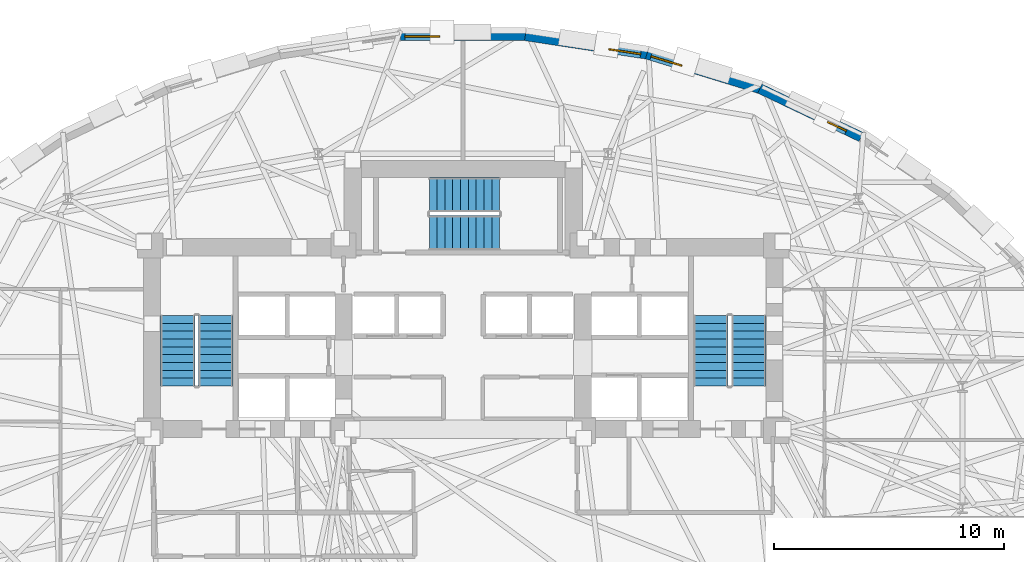
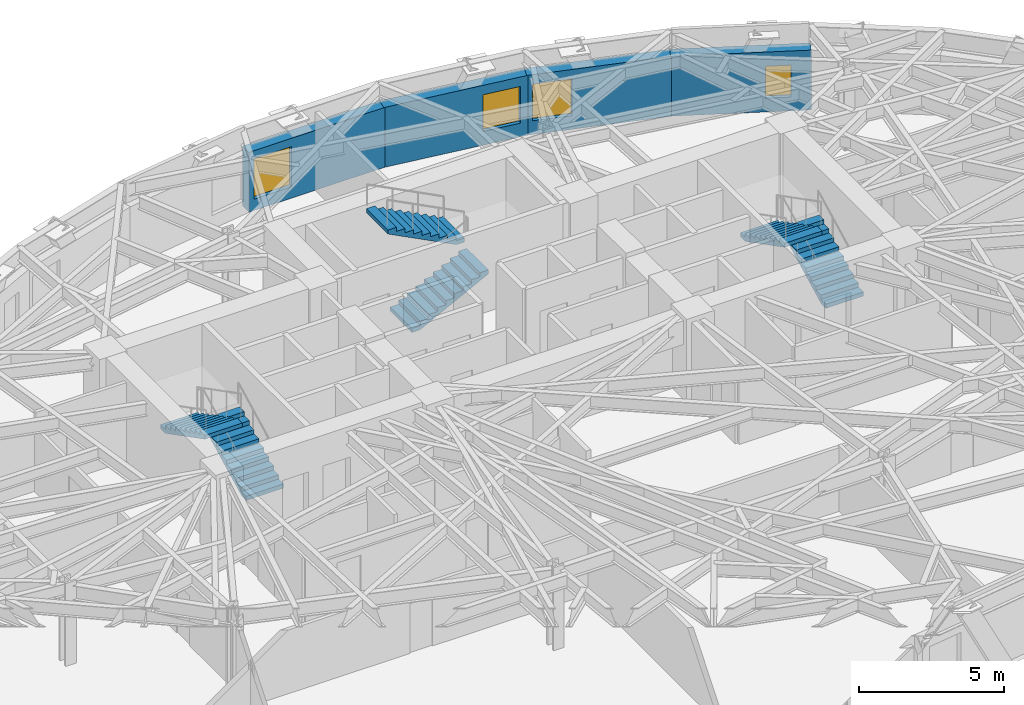
# One storey, part 10 of 14: 6 stair flights, 4 walls, 4 windows, 4 openings, 3 elements without a shape of their own.
"""IFC4 building model written with IfcOpenShell, lengths in metres."""

from ifc_helpers import new_model, si_unit, direction, frame, frame_2d, origin, place, context, subcontext, project, spatial, polyline, rectangle, outline, extrude, material, layer, layer_set, type_object, element, fill, aggregate, save


model = new_model("IFC4")

# Units and contexts
model_context = context("Model", 3, precision=1e-05, world=origin(), true_north=direction((0.0, 1.0)))
body_context = subcontext(model_context, "Body", "Model", "MODEL_VIEW")
ifc_project = project(units=[si_unit("LENGTHUNIT", "METRE"), si_unit("AREAUNIT", "SQUARE_METRE"), si_unit("VOLUMEUNIT", "CUBIC_METRE"), si_unit("PLANEANGLEUNIT", "RADIAN"), si_unit("MASSUNIT", "GRAM", prefix="KILO")], contexts=[model_context])

# Site, building, storey
site_placement = place(None, origin())
site = spatial("IfcSite", under=ifc_project, at=site_placement, CompositionType="ELEMENT")
building_placement = place(site_placement, origin())
building = spatial("IfcBuilding", under=site, at=building_placement, Name="Keldmark Tower", CompositionType="ELEMENT")
storey_placement = place(building_placement, frame((0.0, 0.0, 107.10009765625)))
storey = spatial("IfcBuildingStorey", under=building, at=storey_placement, Name="L28", CompositionType="ELEMENT", Elevation=107.10009765625)

# Wall, opening, window
ifc_material_1 = material(Name="Ironspot Manganese Brick and Kasota Buff Limestone Spandrel Assembly", Category="masonry")
ifc_layer = layer(ifc_material_1, 0.43994140625)
ifc_layer_set = layer_set([ifc_layer], Name="Ironspot Manganese Brick and Kasota Buff Limestone Spandrel Assembly")
wall_type = type_object("IfcWallType", Name="Tower Brick Pier and Spandrel Wall 440 mm", PredefinedType="STANDARD", material=ifc_layer_set)
wall_1_placement = place(storey_placement, frame((12.889892578125, 16.26953125, 0.0), z_axis=(0.0, 0.0, 1.0), x_axis=(0.902372757907, -0.430956385018, 0.0)))
wall_1 = element("IfcWall", 1, at=wall_1_placement, inside=storey, type_object=wall_type, Name="L28 Exterior Brick and Spandrel Wall 05", PredefinedType="STANDARD", context=body_context, shape_type="SweptSolid", body=[
    extrude(rectangle(XDim=4.881591796875, YDim=0.43994140625, at=frame_2d((2.44091796875, 0.0))), origin(), (0.0, 0.0, 1.0), 2.52783203125),
])
opening_1_placement = place(wall_1_placement, frame((3.2841796875, 0.0, 0.580078125)))
opening_1 = element("IfcOpeningElement", 2, at=opening_1_placement, cuts=wall_1, Name="Opening W-09", PredefinedType="OPENING", context=body_context, shape_type="SweptSolid", body=[
    extrude(rectangle(XDim=0.89990234375, YDim=1.35009765625, at=frame_2d((0.449951171875, 0.675048828125))), frame((0.0, 0.22998046875, 0.0), z_axis=(0.0, -1.0, 0.0), x_axis=(1.0, 0.0, 0.0)), (0.0, 0.0, 1.0), 0.4599609375),
])
ifc_material_2 = material(Name="Thermally Broken Anodized Aluminum and Triple Low-E Argon Glazing", Category="aluminium")
window_type_1 = type_object("IfcWindowType", Name="Corner Pier Deep-Set Window 900x1350", PartitioningType="SINGLE_PANEL", PredefinedType="WINDOW", material=ifc_material_2)
window_1_placement = place(opening_1_placement, origin())
window_1 = element("IfcWindow", 3, at=window_1_placement, inside=storey, type_object=window_type_1, Name="L28 Deep-Set Window 05", OverallHeight=1.35009765625, OverallWidth=0.89990234375, PartitioningType="SINGLE_PANEL", PredefinedType="WINDOW", context=body_context, shape_type="SweptSolid", body=[
    extrude(rectangle(XDim=0.89990234375, YDim=1.35009765625, at=frame_2d((0.449951171875, 0.675048828125))), frame((0.0, -0.010009765625, 0.0), z_axis=(0.0, -1.0, 0.0), x_axis=(1.0, 0.0, 0.0)), (0.0, 0.0, 1.0), 0.06005859375),
])
fill(opening_1, window_1)

wall_2_placement = place(storey_placement, frame((7.981201171875, 17.769287109375, 0.0), z_axis=(0.0, 0.0, 1.0), x_axis=(0.956228569431, -0.292620783617, 0.0)))
wall_2 = element("IfcWall", 4, at=wall_2_placement, inside=storey, type_object=wall_type, Name="L28 Exterior Brick and Spandrel Wall 06", PredefinedType="STANDARD", context=body_context, shape_type="SweptSolid", body=[
    extrude(rectangle(XDim=5.165283203125, YDim=0.43994140625, at=frame_2d((2.58251953125, 0.0))), origin(), (0.0, 0.0, 1.0), 2.52783203125),
])
opening_2_placement = place(wall_2_placement, frame((0.199951171875, 0.0, 0.580078125)))
opening_2 = element("IfcOpeningElement", 5, at=opening_2_placement, cuts=wall_2, Name="Opening W-08", PredefinedType="OPENING", context=body_context, shape_type="SweptSolid", body=[
    extrude(rectangle(XDim=1.39990234375, YDim=1.550048828125, at=frame_2d((0.699951171875, 0.77490234375))), frame((0.0, 0.22998046875, 0.0), z_axis=(0.0, -1.0, 0.0), x_axis=(1.0, 0.0, 0.0)), (0.0, 0.0, 1.0), 0.4599609375),
])
ifc_material_3 = material(Name="Thermally Broken Anodized Aluminum and Triple Low-E Argon Glazing", Category="aluminium")
window_type_2 = type_object("IfcWindowType", Name="Residential Corner Punched Window 1400x1550", PartitioningType="SINGLE_PANEL", PredefinedType="WINDOW", material=ifc_material_3)
window_2_placement = place(opening_2_placement, origin())
window_2 = element("IfcWindow", 6, at=window_2_placement, inside=storey, type_object=window_type_2, Name="L28 Deep-Set Window 06", OverallHeight=1.550048828125, OverallWidth=1.39990234375, PartitioningType="SINGLE_PANEL", PredefinedType="WINDOW", context=body_context, shape_type="SweptSolid", body=[
    extrude(rectangle(XDim=1.39990234375, YDim=1.550048828125, at=frame_2d((0.699951171875, 0.77490234375))), frame((0.0, -0.010009765625, 0.0), z_axis=(0.0, -1.0, 0.0), x_axis=(1.0, 0.0, 0.0)), (0.0, 0.0, 1.0), 0.06005859375),
])
fill(opening_2, window_2)

wall_3_placement = place(storey_placement, frame((2.69677734375, 18.57080078125, 0.0), z_axis=(0.0, 0.0, 1.0), x_axis=(0.988627497469, -0.150385076545, 0.0)))
wall_3 = element("IfcWall", 7, at=wall_3_placement, inside=storey, type_object=wall_type, Name="L28 Exterior Brick and Spandrel Wall 07", PredefinedType="STANDARD", context=body_context, shape_type="SweptSolid", body=[
    extrude(rectangle(XDim=5.376708984375, YDim=0.43994140625, at=frame_2d((2.6884765625, 0.0))), origin(), (0.0, 0.0, 1.0), 2.52783203125),
])
opening_3_placement = place(wall_3_placement, frame((3.677490234375, 0.0, 0.580078125)))
opening_3 = element("IfcOpeningElement", 8, at=opening_3_placement, cuts=wall_3, Name="Opening W-08", PredefinedType="OPENING", context=body_context, shape_type="SweptSolid", body=[
    extrude(rectangle(XDim=1.39990234375, YDim=1.550048828125, at=frame_2d((0.699951171875, 0.77490234375))), frame((0.0, 0.22998046875, 0.0), z_axis=(0.0, -1.0, 0.0), x_axis=(1.0, 0.0, 0.0)), (0.0, 0.0, 1.0), 0.4599609375),
])
window_3_placement = place(opening_3_placement, origin())
window_3 = element("IfcWindow", 9, at=window_3_placement, inside=storey, type_object=window_type_2, Name="L28 Deep-Set Window 07", OverallHeight=1.550048828125, OverallWidth=1.39990234375, PartitioningType="SINGLE_PANEL", PredefinedType="WINDOW", context=body_context, shape_type="SweptSolid", body=[
    extrude(rectangle(XDim=1.39990234375, YDim=1.550048828125, at=frame_2d((0.699951171875, 0.77490234375))), frame((0.0, -0.010009765625, 0.0), z_axis=(0.0, -1.0, 0.0), x_axis=(1.0, 0.0, 0.0)), (0.0, 0.0, 1.0), 0.06005859375),
])
fill(opening_3, window_3)

wall_4_placement = place(storey_placement, frame((-2.729736328125, 18.568359375, 0.0), z_axis=(0.0, 0.0, 1.0), x_axis=(1.0, 0.0, 0.0)))
wall_4 = element("IfcWall", 10, at=wall_4_placement, inside=storey, type_object=wall_type, Name="L28 Exterior Brick and Spandrel Wall 08", PredefinedType="STANDARD", context=body_context, shape_type="SweptSolid", body=[
    extrude(rectangle(XDim=5.45947265625, YDim=0.43994140625, at=frame_2d((2.729736328125, 0.0))), origin(), (0.0, 0.0, 1.0), 2.52783203125),
])
opening_4_placement = place(wall_4_placement, frame((0.199951171875, 0.0, 0.47998046875)))
opening_4 = element("IfcOpeningElement", 11, at=opening_4_placement, cuts=wall_4, Name="Opening W-03", PredefinedType="OPENING", context=body_context, shape_type="SweptSolid", body=[
    extrude(rectangle(XDim=1.5, YDim=1.699951171875, at=frame_2d((0.75, 0.85009765625))), frame((0.0, 0.22998046875, 0.0), z_axis=(0.0, -1.0, 0.0), x_axis=(1.0, 0.0, 0.0)), (0.0, 0.0, 1.0), 0.4599609375),
])
ifc_material_4 = material(Name="Thermally Broken Anodized Aluminum and Triple Low-E Argon Glazing", Category="aluminium")
window_type_3 = type_object("IfcWindowType", Name="Office Corner Deep-Set Window 1500x1700", PartitioningType="DOUBLE_PANEL_VERTICAL", PredefinedType="WINDOW", material=ifc_material_4)
window_4_placement = place(opening_4_placement, origin())
window_4 = element("IfcWindow", 12, at=window_4_placement, inside=storey, type_object=window_type_3, Name="L28 Deep-Set Window 08", OverallHeight=1.699951171875, OverallWidth=1.5, PartitioningType="SINGLE_PANEL", PredefinedType="WINDOW", context=body_context, shape_type="SweptSolid", body=[
    extrude(rectangle(XDim=1.5, YDim=1.699951171875, at=frame_2d((0.75, 0.85009765625))), frame((0.0, -0.010009765625, 0.0), z_axis=(0.0, -1.0, 0.0), x_axis=(1.0, 0.0, 0.0)), (0.0, 0.0, 1.0), 0.06005859375),
])
fill(opening_4, window_4)

# Stair, stair flights
ifc_material_5 = material(Name="Concrete C40/50", Category="concrete")
stair_type = type_object("IfcStairType", Name="Precast Concrete Core Exit Stair", PredefinedType="HALF_TURN_STAIR", material=ifc_material_5)
stair_1_placement = place(storey_placement, origin())
stair_1 = element("IfcStair", 13, at=stair_1_placement, inside=storey, type_object=stair_type, Name="L28 Exit Stair ST1", PredefinedType="HALF_TURN_STAIR")
ifc_material_6 = material(Name="Concrete C40/50", Category="concrete")
stair_flight_type = type_object("IfcStairFlightType", Name="Precast Concrete Stair Flight 1500 mm", PredefinedType="STRAIGHT", material=ifc_material_6)
stair_flight_1_placement = place(storey_placement, frame((-10.75, 3.35009765625, 0.0), z_axis=(0.0, 0.0, 1.0), x_axis=(0.0, 1.0, 0.0)))
stair_flight_1 = element("IfcStairFlight", 14, at=stair_flight_1_placement, type_object=stair_flight_type, Name="ST1 flight 1", NumberOfRisers=10, NumberOfTreads=9, PredefinedType="STRAIGHT", RiserHeight=0.175, TreadLength=0.34, context=body_context, shape_type="SweptSolid", body=[
    extrude(outline(polyline([(0.0, 0.0), (0.0, 0.175048828125), (0.340087890625, 0.175048828125), (0.340087890625, 0.35009765625), (0.679931640625, 0.35009765625), (0.679931640625, 0.52490234375), (1.02001953125, 0.52490234375), (1.02001953125, 0.699951171875), (1.360107421875, 0.699951171875), (1.360107421875, 0.875), (1.699951171875, 0.875), (1.699951171875, 1.050048828125), (2.0400390625, 1.050048828125), (2.0400390625, 1.22509765625), (2.3798828125, 1.22509765625), (2.3798828125, 1.39990234375), (2.719970703125, 1.39990234375), (2.719970703125, 1.574951171875), (3.06005859375, 1.574951171875), (3.06005859375, 1.75), (3.06005859375, 1.406494140625), (0.32763671875, 0.0), (0.0, 0.0)])), frame((0.0, 0.75, 0.0), z_axis=(0.0, -1.0, 0.0), x_axis=(1.0, 0.0, 0.0)), (0.0, 0.0, 1.0), 1.5),
])
stair_flight_2_placement = place(storey_placement, frame((-12.39990234375, 6.409912109375, 1.75), z_axis=(0.0, 0.0, 1.0), x_axis=(0.0, -1.0, 0.0)))
stair_flight_2 = element("IfcStairFlight", 15, at=stair_flight_2_placement, type_object=stair_flight_type, Name="ST1 flight 2", NumberOfRisers=10, NumberOfTreads=9, PredefinedType="STRAIGHT", RiserHeight=0.175, TreadLength=0.34, context=body_context, shape_type="SweptSolid", body=[
    extrude(outline(polyline([(0.0, 0.0), (0.0, 0.175048828125), (0.340087890625, 0.175048828125), (0.340087890625, 0.35009765625), (0.679931640625, 0.35009765625), (0.679931640625, 0.52490234375), (1.02001953125, 0.52490234375), (1.02001953125, 0.699951171875), (1.360107421875, 0.699951171875), (1.360107421875, 0.875), (1.699951171875, 0.875), (1.699951171875, 1.050048828125), (2.0400390625, 1.050048828125), (2.0400390625, 1.22509765625), (2.3798828125, 1.22509765625), (2.3798828125, 1.39990234375), (2.719970703125, 1.39990234375), (2.719970703125, 1.574951171875), (3.06005859375, 1.574951171875), (3.06005859375, 1.75), (3.06005859375, 1.406494140625), (0.32763671875, 0.0), (0.0, 0.0)])), frame((0.0, 0.75, 0.0), z_axis=(0.0, -1.0, 0.0), x_axis=(1.0, 0.0, 0.0)), (0.0, 0.0, 1.0), 1.5),
])
aggregate(stair_1, [stair_flight_1, stair_flight_2])

stair_2_placement = place(storey_placement, origin())
stair_2 = element("IfcStair", 16, at=stair_2_placement, inside=storey, type_object=stair_type, Name="L28 Exit Stair ST2", PredefinedType="HALF_TURN_STAIR")
stair_flight_3_placement = place(storey_placement, frame((12.39990234375, 3.35009765625, 0.0), z_axis=(0.0, 0.0, 1.0), x_axis=(0.0, 1.0, 0.0)))
stair_flight_3 = element("IfcStairFlight", 17, at=stair_flight_3_placement, type_object=stair_flight_type, Name="ST2 flight 1", NumberOfRisers=10, NumberOfTreads=9, PredefinedType="STRAIGHT", RiserHeight=0.175, TreadLength=0.34, context=body_context, shape_type="SweptSolid", body=[
    extrude(outline(polyline([(0.0, 0.0), (0.0, 0.175048828125), (0.340087890625, 0.175048828125), (0.340087890625, 0.35009765625), (0.679931640625, 0.35009765625), (0.679931640625, 0.52490234375), (1.02001953125, 0.52490234375), (1.02001953125, 0.699951171875), (1.360107421875, 0.699951171875), (1.360107421875, 0.875), (1.699951171875, 0.875), (1.699951171875, 1.050048828125), (2.0400390625, 1.050048828125), (2.0400390625, 1.22509765625), (2.3798828125, 1.22509765625), (2.3798828125, 1.39990234375), (2.719970703125, 1.39990234375), (2.719970703125, 1.574951171875), (3.06005859375, 1.574951171875), (3.06005859375, 1.75), (3.06005859375, 1.406494140625), (0.32763671875, 0.0), (0.0, 0.0)])), frame((0.0, 0.75, 0.0), z_axis=(0.0, -1.0, 0.0), x_axis=(1.0, 0.0, 0.0)), (0.0, 0.0, 1.0), 1.5),
])
stair_flight_4_placement = place(storey_placement, frame((10.75, 6.409912109375, 1.75), z_axis=(0.0, 0.0, 1.0), x_axis=(0.0, -1.0, 0.0)))
stair_flight_4 = element("IfcStairFlight", 18, at=stair_flight_4_placement, type_object=stair_flight_type, Name="ST2 flight 2", NumberOfRisers=10, NumberOfTreads=9, PredefinedType="STRAIGHT", RiserHeight=0.175, TreadLength=0.34, context=body_context, shape_type="SweptSolid", body=[
    extrude(outline(polyline([(0.0, 0.0), (0.0, 0.175048828125), (0.340087890625, 0.175048828125), (0.340087890625, 0.35009765625), (0.679931640625, 0.35009765625), (0.679931640625, 0.52490234375), (1.02001953125, 0.52490234375), (1.02001953125, 0.699951171875), (1.360107421875, 0.699951171875), (1.360107421875, 0.875), (1.699951171875, 0.875), (1.699951171875, 1.050048828125), (2.0400390625, 1.050048828125), (2.0400390625, 1.22509765625), (2.3798828125, 1.22509765625), (2.3798828125, 1.39990234375), (2.719970703125, 1.39990234375), (2.719970703125, 1.574951171875), (3.06005859375, 1.574951171875), (3.06005859375, 1.75), (3.06005859375, 1.406494140625), (0.32763671875, 0.0), (0.0, 0.0)])), frame((0.0, 0.75, 0.0), z_axis=(0.0, -1.0, 0.0), x_axis=(1.0, 0.0, 0.0)), (0.0, 0.0, 1.0), 1.5),
])
aggregate(stair_2, [stair_flight_3, stair_flight_4])

stair_3_placement = place(storey_placement, origin())
stair_3 = element("IfcStair", 19, at=stair_3_placement, inside=storey, type_object=stair_type, Name="L28 Exit Stair ST3", PredefinedType="HALF_TURN_STAIR")
stair_flight_5_placement = place(storey_placement, frame((-1.47509765625, 10.0, 0.0), z_axis=(0.0, 0.0, 1.0), x_axis=(1.0, 0.0, 0.0)))
stair_flight_5 = element("IfcStairFlight", 20, at=stair_flight_5_placement, type_object=stair_flight_type, Name="ST3 flight 1", NumberOfRisers=10, NumberOfTreads=9, PredefinedType="STRAIGHT", RiserHeight=0.175, TreadLength=0.34, context=body_context, shape_type="SweptSolid", body=[
    extrude(outline(polyline([(0.0, 0.0), (0.0, 0.175048828125), (0.340087890625, 0.175048828125), (0.340087890625, 0.35009765625), (0.679931640625, 0.35009765625), (0.679931640625, 0.52490234375), (1.02001953125, 0.52490234375), (1.02001953125, 0.699951171875), (1.360107421875, 0.699951171875), (1.360107421875, 0.875), (1.699951171875, 0.875), (1.699951171875, 1.050048828125), (2.0400390625, 1.050048828125), (2.0400390625, 1.22509765625), (2.3798828125, 1.22509765625), (2.3798828125, 1.39990234375), (2.719970703125, 1.39990234375), (2.719970703125, 1.574951171875), (3.06005859375, 1.574951171875), (3.06005859375, 1.75), (3.06005859375, 1.406494140625), (0.32763671875, 0.0), (0.0, 0.0)])), frame((0.0, 0.75, 0.0), z_axis=(0.0, -1.0, 0.0), x_axis=(1.0, 0.0, 0.0)), (0.0, 0.0, 1.0), 1.5),
])
stair_flight_6_placement = place(storey_placement, frame((1.5849609375, 11.64990234375, 1.75), z_axis=(0.0, 0.0, 1.0), x_axis=(-1.0, 0.0, 0.0)))
stair_flight_6 = element("IfcStairFlight", 21, at=stair_flight_6_placement, type_object=stair_flight_type, Name="ST3 flight 2", NumberOfRisers=10, NumberOfTreads=9, PredefinedType="STRAIGHT", RiserHeight=0.175, TreadLength=0.34, context=body_context, shape_type="SweptSolid", body=[
    extrude(outline(polyline([(0.0, 0.0), (0.0, 0.175048828125), (0.340087890625, 0.175048828125), (0.340087890625, 0.35009765625), (0.679931640625, 0.35009765625), (0.679931640625, 0.52490234375), (1.02001953125, 0.52490234375), (1.02001953125, 0.699951171875), (1.360107421875, 0.699951171875), (1.360107421875, 0.875), (1.699951171875, 0.875), (1.699951171875, 1.050048828125), (2.0400390625, 1.050048828125), (2.0400390625, 1.22509765625), (2.3798828125, 1.22509765625), (2.3798828125, 1.39990234375), (2.719970703125, 1.39990234375), (2.719970703125, 1.574951171875), (3.06005859375, 1.574951171875), (3.06005859375, 1.75), (3.06005859375, 1.406494140625), (0.32763671875, 0.0), (0.0, 0.0)])), frame((0.0, 0.75, 0.0), z_axis=(0.0, -1.0, 0.0), x_axis=(1.0, 0.0, 0.0)), (0.0, 0.0, 1.0), 1.5),
])
aggregate(stair_3, [stair_flight_5, stair_flight_6])

save(model, "model.ifc")
